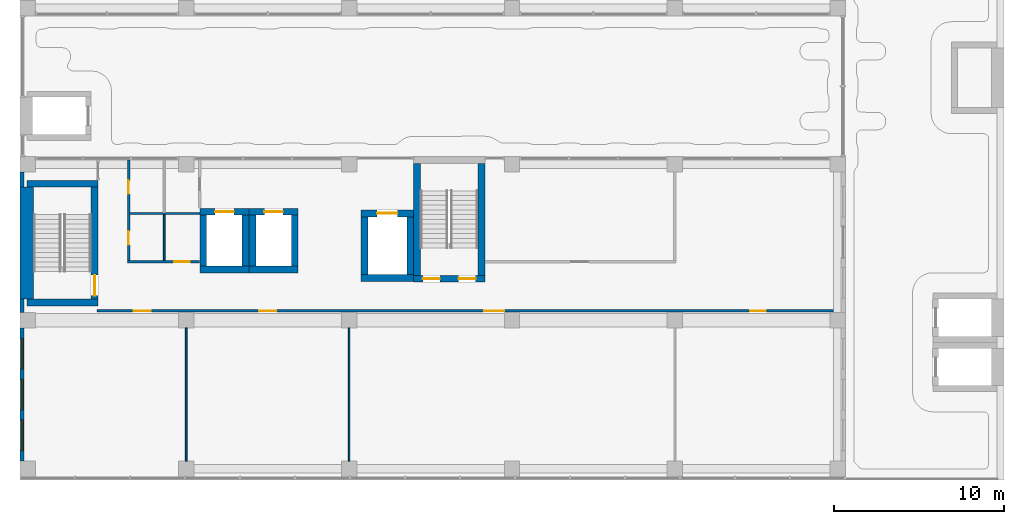
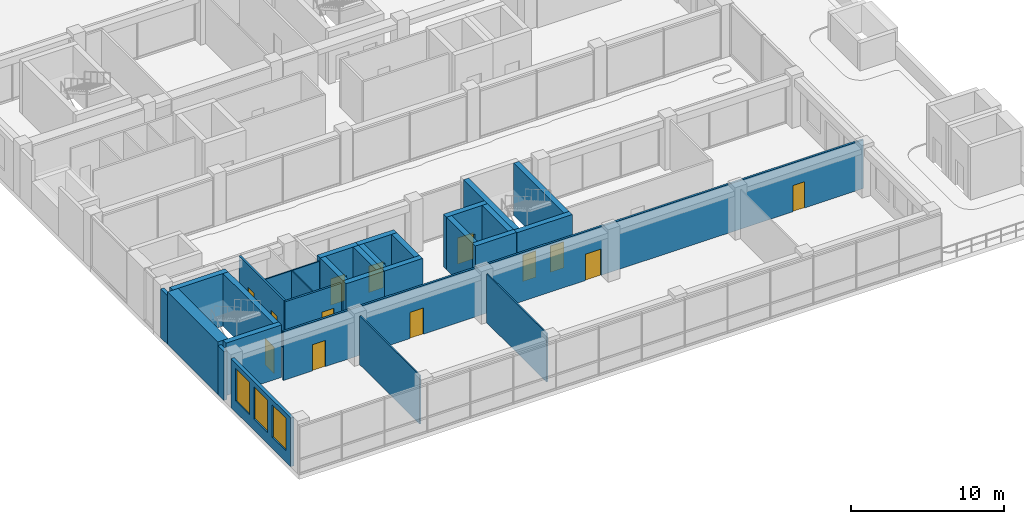
# One storey, part 58 of 72: 29 walls, 13 doors, 3 windows, 16 openings.
"""IFC4 building model written with IfcOpenShell, lengths in metres."""

from ifc_helpers import new_model, si_unit, direction, frame, frame_2d, origin, place, context, subcontext, project, spatial, rectangle, extrude, material, layer, layer_set, layer_usage, type_object, element, fill, save


model = new_model("IFC4")

# Units and contexts
model_context = context("Model", 3, precision=1e-05, world=origin(), true_north=direction((0.0, 1.0)))
body_context = subcontext(model_context, "Body", "Model", "MODEL_VIEW")
ifc_project = project(units=[si_unit("LENGTHUNIT", "METRE"), si_unit("AREAUNIT", "SQUARE_METRE"), si_unit("VOLUMEUNIT", "CUBIC_METRE"), si_unit("PLANEANGLEUNIT", "RADIAN"), si_unit("MASSUNIT", "GRAM", prefix="KILO")], contexts=[model_context])

# Site, building, storey
site_placement = place(None, origin())
site = spatial("IfcSite", under=ifc_project, at=site_placement, CompositionType="ELEMENT")
building_placement = place(site_placement, origin())
building = spatial("IfcBuilding", under=site, at=building_placement, Name="Nzadi Deep Aquarium and Research Tower", CompositionType="ELEMENT")
storey_placement = place(building_placement, frame((0.0, 0.0, 31.89990234375)))
storey = spatial("IfcBuildingStorey", under=building, at=storey_placement, Name="L05", CompositionType="ELEMENT", Elevation=31.89990234375)

# Wall
ifc_material_1 = material(Name="Concrete C35/45", Category="concrete")
ifc_layer_1 = layer(ifc_material_1, 0.14990234375, Category="cladding")
ifc_material_2 = material(Name="Mineral wool insulation")
ifc_layer_2 = layer(ifc_material_2, 0.070068359375, Category="insulation")
ifc_material_3 = material(Name="Gypsum board lining")
ifc_layer_3 = layer(ifc_material_3, 0.030029296875, Category="lining")
ifc_layer_set_1 = layer_set([ifc_layer_1, ifc_layer_2, ifc_layer_3], Name="Concrete C35/45, Mineral wool insulation, Gypsum board lining")
ifc_layer_usage_1 = layer_usage(ifc_layer_set_1, "AXIS2", "POSITIVE", -0.125)
wall_type_1 = type_object("IfcWallType", Name="End wall board-formed concrete 250", PredefinedType="ELEMENTEDWALL", material=ifc_layer_set_1)
wall_1_placement = place(storey_placement, frame((-0.074462890625, 10.449951171875, 0.0), z_axis=(0.0, 0.0, 1.0), x_axis=(0.0, -1.0, 0.0)))
element("IfcWall", 1, at=wall_1_placement, inside=storey, type_object=wall_type_1, material=ifc_layer_usage_1, Name="End wall blade A west L05", PredefinedType="ELEMENTEDWALL", context=body_context, shape_type="SweptSolid", body=[
    extrude(rectangle(XDim=0.800048828125, YDim=0.25, at=frame_2d((0.39990234375, 0.0))), origin(), (0.0, 0.0, 1.0), 3.900146484375),
])

# Wall, openings, windows
ifc_material_4 = material(Name="Graphite aluminium shingle", Category="aluminium")
ifc_layer_4 = layer(ifc_material_4, 0.050048828125, Category="cladding")
ifc_layer_5 = layer(ifc_material_1, 0.10009765625, Category="cladding")
ifc_layer_6 = layer(ifc_material_2, 0.070068359375, Category="insulation")
ifc_layer_7 = layer(ifc_material_3, 0.030029296875, Category="lining")
ifc_layer_set_2 = layer_set([ifc_layer_4, ifc_layer_5, ifc_layer_6, ifc_layer_7], Name="Graphite aluminium shingle, Concrete C35/45, Mineral wool insulation, Gypsum board lining")
ifc_layer_usage_2 = layer_usage(ifc_layer_set_2, "AXIS2", "POSITIVE", -0.125)
wall_type_2 = type_object("IfcWallType", Name="End wall shingle over board-formed concrete 250", PredefinedType="ELEMENTEDWALL", material=ifc_layer_set_2)
wall_2_placement = place(storey_placement, frame((-0.074462890625, 8.75, 0.0), z_axis=(0.0, 0.0, 1.0), x_axis=(0.0, -1.0, 0.0)))
wall_2 = element("IfcWall", 2, at=wall_2_placement, inside=storey, type_object=wall_type_2, material=ifc_layer_usage_2, Name="End wall blade A west L05", PredefinedType="ELEMENTEDWALL", context=body_context, shape_type="SweptSolid", body=[
    extrude(rectangle(XDim=7.85009765625, YDim=0.25, at=frame_2d((3.925048828125, 0.0))), origin(), (0.0, 0.0, 1.0), 3.900146484375),
])
opening_1_placement = place(wall_2_placement, frame((5.425048828125, 0.0, 0.89990234375)))
opening_1 = element("IfcOpeningElement", 3, at=opening_1_placement, cuts=wall_2, Name="Opening WN01", PredefinedType="OPENING", context=body_context, shape_type="SweptSolid", body=[
    extrude(rectangle(XDim=1.800048828125, YDim=2.60009765625, at=frame_2d((0.89990234375, 1.300048828125))), frame((0.0, 0.135009765625, 0.0), z_axis=(0.0, -1.0, 0.0), x_axis=(1.0, 0.0, 0.0)), (0.0, 0.0, 1.0), 0.27001953125),
])
opening_2_placement = place(wall_2_placement, frame((3.02490234375, 0.0, 0.89990234375)))
opening_2 = element("IfcOpeningElement", 4, at=opening_2_placement, cuts=wall_2, Name="Opening WN01", PredefinedType="OPENING", context=body_context, shape_type="SweptSolid", body=[
    extrude(rectangle(XDim=1.800048828125, YDim=2.60009765625, at=frame_2d((0.89990234375, 1.300048828125))), frame((0.0, 0.135009765625, 0.0), z_axis=(0.0, -1.0, 0.0), x_axis=(1.0, 0.0, 0.0)), (0.0, 0.0, 1.0), 0.27001953125),
])
opening_3_placement = place(wall_2_placement, frame((0.625, 0.0, 0.89990234375)))
opening_3 = element("IfcOpeningElement", 5, at=opening_3_placement, cuts=wall_2, Name="Opening WN01", PredefinedType="OPENING", context=body_context, shape_type="SweptSolid", body=[
    extrude(rectangle(XDim=1.800048828125, YDim=2.60009765625, at=frame_2d((0.89990234375, 1.300048828125))), frame((0.0, 0.135009765625, 0.0), z_axis=(0.0, -1.0, 0.0), x_axis=(1.0, 0.0, 0.0)), (0.0, 0.0, 1.0), 0.27001953125),
])
ifc_material_5 = material(Name="Aluminium window, sage tint glazing", Category="aluminium")
window_type = type_object("IfcWindowType", Name="Slot window 1800x2600 sill 900", PartitioningType="SINGLE_PANEL", PredefinedType="WINDOW", material=ifc_material_5)
window_1_placement = place(opening_1_placement, origin())
window_1 = element("IfcWindow", 6, at=window_1_placement, inside=storey, type_object=window_type, Name="Slot window L05 AW", OverallHeight=2.60009765625, OverallWidth=1.800048828125, PartitioningType="SINGLE_PANEL", PredefinedType="WINDOW", context=body_context, shape_type="SweptSolid", body=[
    extrude(rectangle(XDim=1.800048828125, YDim=2.60009765625, at=frame_2d((0.89990234375, 1.300048828125))), frame((0.0, 0.030029296875, 0.0), z_axis=(0.0, -1.0, 0.0), x_axis=(1.0, 0.0, 0.0)), (0.0, 0.0, 1.0), 0.06005859375),
])
fill(opening_1, window_1)
window_2_placement = place(opening_2_placement, origin())
window_2 = element("IfcWindow", 7, at=window_2_placement, inside=storey, type_object=window_type, Name="Slot window L05 AW", OverallHeight=2.60009765625, OverallWidth=1.800048828125, PartitioningType="SINGLE_PANEL", PredefinedType="WINDOW", context=body_context, shape_type="SweptSolid", body=[
    extrude(rectangle(XDim=1.800048828125, YDim=2.60009765625, at=frame_2d((0.89990234375, 1.300048828125))), frame((0.0, 0.030029296875, 0.0), z_axis=(0.0, -1.0, 0.0), x_axis=(1.0, 0.0, 0.0)), (0.0, 0.0, 1.0), 0.06005859375),
])
fill(opening_2, window_2)
window_3_placement = place(opening_3_placement, origin())
window_3 = element("IfcWindow", 8, at=window_3_placement, inside=storey, type_object=window_type, Name="Slot window L05 AW", OverallHeight=2.60009765625, OverallWidth=1.800048828125, PartitioningType="SINGLE_PANEL", PredefinedType="WINDOW", context=body_context, shape_type="SweptSolid", body=[
    extrude(rectangle(XDim=1.800048828125, YDim=2.60009765625, at=frame_2d((0.89990234375, 1.300048828125))), frame((0.0, 0.030029296875, 0.0), z_axis=(0.0, -1.0, 0.0), x_axis=(1.0, 0.0, 0.0)), (0.0, 0.0, 1.0), 0.06005859375),
])
fill(opening_3, window_3)

# Walls
ifc_layer_usage_3 = layer_usage(ifc_layer_set_2, "AXIS2", "POSITIVE", -0.125)
wall_3_placement = place(storey_placement, frame((-0.074462890625, 17.949951171875, 0.0), z_axis=(0.0, 0.0, 1.0), x_axis=(0.0, -1.0, 0.0)))
element("IfcWall", 9, at=wall_3_placement, inside=storey, type_object=wall_type_2, material=ifc_layer_usage_3, Name="End wall blade A west L05", PredefinedType="ELEMENTEDWALL", context=body_context, shape_type="SweptSolid", body=[
    extrude(rectangle(XDim=0.89990234375, YDim=0.25, at=frame_2d((0.449951171875, 0.0))), origin(), (0.0, 0.0, 1.0), 3.900146484375),
])
ifc_material_6 = material(Name="Blockwork masonry", Category="masonry")
ifc_layer_8 = layer(ifc_material_6, 0.10009765625)
ifc_layer_set_3 = layer_set([ifc_layer_8], Name="Blockwork masonry")
wall_type_3 = type_object("IfcWallType", Name="Partition 100 EI 30", PredefinedType="PARTITIONING", material=ifc_layer_set_3)
wall_4_placement = place(storey_placement, frame((6.27490234375, 15.5, 0.0), z_axis=(0.0, 0.0, 1.0), x_axis=(1.0, 0.0, 0.0)))
element("IfcWall", 10, at=wall_4_placement, inside=storey, type_object=wall_type_3, Name="W-Z1-L05-P009", PredefinedType="PARTITIONING", context=body_context, shape_type="SweptSolid", body=[
    extrude(rectangle(XDim=4.119140625, YDim=0.10009765625, at=frame_2d((2.0595703125, 0.0))), origin(), (0.0, 0.0, 1.0), 3.900146484375),
])
wall_5_placement = place(storey_placement, frame((8.300048828125, 12.72509765625, 0.0), z_axis=(0.0, 0.0, 1.0), x_axis=(0.0, 1.0, 0.0)))
element("IfcWall", 11, at=wall_5_placement, inside=storey, type_object=wall_type_3, Name="W-Z1-L05-P011", PredefinedType="PARTITIONING", context=body_context, shape_type="SweptSolid", body=[
    extrude(rectangle(XDim=2.724853515625, YDim=0.10009765625, at=frame_2d((1.3623046875, 0.0))), origin(), (0.0, 0.0, 1.0), 3.900146484375),
])
for number, where, z_axis, x_axis, name in (
    (12, (9.60009765625, 0.89990234375, 0.0), (0.0, 0.0, 1.0), (0.0, 1.0, 0.0), "W-Z1-L05-P017"),
    (13, (19.199951171875, 0.89990234375, 0.0), (0.0, 0.0, 1.0), (0.0, 1.0, 0.0), "W-Z1-L05-P024"),
):
    element("IfcWall", number, at=place(storey_placement, frame(where, z_axis=z_axis, x_axis=x_axis)), inside=storey, type_object=wall_type_3, Name=name, PredefinedType="PARTITIONING", context=body_context, shape_type="SweptSolid", body=[
        extrude(rectangle(XDim=7.85009765625, YDim=0.10009765625, at=frame_2d((3.925048828125, 0.0))), origin(), (0.0, 0.0, 1.0), 3.900146484375),
    ])

# Wall, openings, doors
ifc_material_7 = material(Name="Blockwork masonry", Category="masonry")
ifc_layer_9 = layer(ifc_material_7, 0.14990234375)
ifc_layer_set_4 = layer_set([ifc_layer_9], Name="Blockwork masonry")
wall_type_4 = type_object("IfcWallType", Name="Partition 150 EI 60", PredefinedType="PARTITIONING", material=ifc_layer_set_4)
wall_6_placement = place(storey_placement, frame((4.324951171875, 9.75, 0.0), z_axis=(0.0, 0.0, 1.0), x_axis=(1.0, 0.0, 0.0)))
wall_6 = element("IfcWall", 14, at=wall_6_placement, inside=storey, type_object=wall_type_4, Name="W-Z1-L05-P005", PredefinedType="PARTITIONING", context=body_context, shape_type="SweptSolid", body=[
    extrude(rectangle(XDim=43.869140625, YDim=0.14990234375, at=frame_2d((21.9345703125, 0.0))), origin(), (0.0, 0.0, 1.0), 3.900146484375),
])
opening_4_placement = place(wall_6_placement, frame((2.175048828125, 0.0, 0.0)))
opening_4 = element("IfcOpeningElement", 15, at=opening_4_placement, cuts=wall_6, Name="Opening D061006", PredefinedType="OPENING", context=body_context, shape_type="SweptSolid", body=[
    extrude(rectangle(XDim=1.0, YDim=2.10009765625, at=frame_2d((0.5, 1.050048828125))), frame((0.0, 0.0849609375, 0.0), z_axis=(0.0, -1.0, 0.0), x_axis=(1.0, 0.0, 0.0)), (0.0, 0.0, 1.0), 0.169921875),
])
opening_5_placement = place(wall_6_placement, frame((9.574951171875, 0.0, 0.0)))
opening_5 = element("IfcOpeningElement", 16, at=opening_5_placement, cuts=wall_6, Name="Opening D061007", PredefinedType="OPENING", context=body_context, shape_type="SweptSolid", body=[
    extrude(rectangle(XDim=1.0, YDim=2.10009765625, at=frame_2d((0.5, 1.050048828125))), frame((0.0, 0.0849609375, 0.0), z_axis=(0.0, -1.0, 0.0), x_axis=(1.0, 0.0, 0.0)), (0.0, 0.0, 1.0), 0.169921875),
])
opening_6_placement = place(wall_6_placement, frame((22.824951171875, 0.0, 0.0)))
opening_6 = element("IfcOpeningElement", 17, at=opening_6_placement, cuts=wall_6, Name="Opening D061008", PredefinedType="OPENING", context=body_context, shape_type="SweptSolid", body=[
    extrude(rectangle(XDim=1.199951171875, YDim=2.10009765625, at=frame_2d((0.60009765625, 1.050048828125))), frame((0.0, 0.0849609375, 0.0), z_axis=(0.0, -1.0, 0.0), x_axis=(1.0, 0.0, 0.0)), (0.0, 0.0, 1.0), 0.169921875),
])
opening_7_placement = place(wall_6_placement, frame((38.52490234375, 0.0, 0.0)))
opening_7 = element("IfcOpeningElement", 18, at=opening_7_placement, cuts=wall_6, Name="Opening D061009", PredefinedType="OPENING", context=body_context, shape_type="SweptSolid", body=[
    extrude(rectangle(XDim=0.89990234375, YDim=2.10009765625, at=frame_2d((0.449951171875, 1.050048828125))), frame((0.0, 0.0849609375, 0.0), z_axis=(0.0, -1.0, 0.0), x_axis=(1.0, 0.0, 0.0)), (0.0, 0.0, 1.0), 0.169921875),
])
ifc_material_8 = material(Name="Fire-rated steel door", Category="steel")
ifc_layer_10 = layer(ifc_material_8, 0.050048828125)
ifc_layer_set_5 = layer_set([ifc_layer_10], Name="Fire-rated steel door")
door_type_1 = type_object("IfcDoorType", Name="Door 1000x2100 EI 60 single", OperationType="SINGLE_SWING_LEFT", PredefinedType="DOOR", material=ifc_layer_set_5)
door_1_placement = place(opening_4_placement, origin())
door_1 = element("IfcDoor", 19, at=door_1_placement, inside=storey, type_object=door_type_1, Name="D061006", OperationType="SINGLE_SWING_RIGHT", OverallHeight=2.10009765625, OverallWidth=1.0, PredefinedType="DOOR", context=body_context, shape_type="SweptSolid", body=[
    extrude(rectangle(XDim=1.0, YDim=2.10009765625, at=frame_2d((0.5, 1.050048828125))), frame((0.0, 0.02490234375, 0.0), z_axis=(0.0, -1.0, 0.0), x_axis=(1.0, 0.0, 0.0)), (0.0, 0.0, 1.0), 0.050048828125),
])
fill(opening_4, door_1)
door_2_placement = place(opening_5_placement, origin())
door_2 = element("IfcDoor", 20, at=door_2_placement, inside=storey, type_object=door_type_1, Name="D061007", OperationType="SINGLE_SWING_RIGHT", OverallHeight=2.10009765625, OverallWidth=1.0, PredefinedType="DOOR", context=body_context, shape_type="SweptSolid", body=[
    extrude(rectangle(XDim=1.0, YDim=2.10009765625, at=frame_2d((0.5, 1.050048828125))), frame((0.0, 0.02490234375, 0.0), z_axis=(0.0, -1.0, 0.0), x_axis=(1.0, 0.0, 0.0)), (0.0, 0.0, 1.0), 0.050048828125),
])
fill(opening_5, door_2)
ifc_material_9 = material(Name="Fire-rated steel door", Category="steel")
ifc_layer_11 = layer(ifc_material_9, 0.050048828125)
ifc_layer_set_6 = layer_set([ifc_layer_11], Name="Fire-rated steel door")
door_type_2 = type_object("IfcDoorType", Name="Door 1200x2100 EI 60 single", OperationType="SINGLE_SWING_LEFT", PredefinedType="DOOR", material=ifc_layer_set_6)
door_3_placement = place(opening_6_placement, origin())
door_3 = element("IfcDoor", 21, at=door_3_placement, inside=storey, type_object=door_type_2, Name="D061008", OperationType="SINGLE_SWING_LEFT", OverallHeight=2.10009765625, OverallWidth=1.199951171875, PredefinedType="DOOR", context=body_context, shape_type="SweptSolid", body=[
    extrude(rectangle(XDim=1.199951171875, YDim=2.10009765625, at=frame_2d((0.60009765625, 1.050048828125))), frame((0.0, 0.02490234375, 0.0), z_axis=(0.0, -1.0, 0.0), x_axis=(1.0, 0.0, 0.0)), (0.0, 0.0, 1.0), 0.050048828125),
])
fill(opening_6, door_3)
ifc_material_10 = material(Name="Fire-rated steel door", Category="steel")
ifc_layer_12 = layer(ifc_material_10, 0.050048828125)
ifc_layer_set_7 = layer_set([ifc_layer_12], Name="Fire-rated steel door")
door_type_3 = type_object("IfcDoorType", Name="Door 900x2100 EI 60 single", OperationType="SINGLE_SWING_LEFT", PredefinedType="DOOR", material=ifc_layer_set_7)
door_4_placement = place(opening_7_placement, origin())
door_4 = element("IfcDoor", 22, at=door_4_placement, inside=storey, type_object=door_type_3, Name="D061009", OperationType="SINGLE_SWING_LEFT", OverallHeight=2.10009765625, OverallWidth=0.89990234375, PredefinedType="DOOR", context=body_context, shape_type="SweptSolid", body=[
    extrude(rectangle(XDim=0.89990234375, YDim=2.10009765625, at=frame_2d((0.449951171875, 1.050048828125))), frame((0.0, 0.02490234375, 0.0), z_axis=(0.0, -1.0, 0.0), x_axis=(1.0, 0.0, 0.0)), (0.0, 0.0, 1.0), 0.050048828125),
])
fill(opening_7, door_4)

# Wall, opening, door
wall_7_placement = place(storey_placement, frame((6.125, 12.64990234375, 0.0), z_axis=(0.0, 0.0, 1.0), x_axis=(1.0, 0.0, 0.0)))
wall_7 = element("IfcWall", 23, at=wall_7_placement, inside=storey, type_object=wall_type_4, Name="W-Z1-L05-P007", PredefinedType="PARTITIONING", context=body_context, shape_type="SweptSolid", body=[
    extrude(rectangle(XDim=4.26904296875, YDim=0.14990234375, at=frame_2d((2.134521484375, 0.0))), origin(), (0.0, 0.0, 1.0), 3.900146484375),
])
opening_8_placement = place(wall_7_placement, frame((2.77490234375, 0.0, 0.0)))
opening_8 = element("IfcOpeningElement", 24, at=opening_8_placement, cuts=wall_7, Name="Opening D061003", PredefinedType="OPENING", context=body_context, shape_type="SweptSolid", body=[
    extrude(rectangle(XDim=0.89990234375, YDim=2.10009765625, at=frame_2d((0.449951171875, 1.050048828125))), frame((0.0, 0.0849609375, 0.0), z_axis=(0.0, -1.0, 0.0), x_axis=(1.0, 0.0, 0.0)), (0.0, 0.0, 1.0), 0.169921875),
])
door_5_placement = place(opening_8_placement, origin())
door_5 = element("IfcDoor", 25, at=door_5_placement, inside=storey, type_object=door_type_3, Name="D061003", OperationType="SINGLE_SWING_RIGHT", OverallHeight=2.10009765625, OverallWidth=0.89990234375, PredefinedType="DOOR", context=body_context, shape_type="SweptSolid", body=[
    extrude(rectangle(XDim=0.89990234375, YDim=2.10009765625, at=frame_2d((0.449951171875, 1.050048828125))), frame((0.0, 0.02490234375, 0.0), z_axis=(0.0, -1.0, 0.0), x_axis=(1.0, 0.0, 0.0)), (0.0, 0.0, 1.0), 0.050048828125),
])
fill(opening_8, door_5)

# Wall, openings, doors
wall_8_placement = place(storey_placement, frame((6.199951171875, 12.72509765625, 0.0), z_axis=(0.0, 0.0, 1.0), x_axis=(0.0, 1.0, 0.0)))
wall_8 = element("IfcWall", 26, at=wall_8_placement, inside=storey, type_object=wall_type_4, Name="W-Z1-L05-P008", PredefinedType="PARTITIONING", context=body_context, shape_type="SweptSolid", body=[
    extrude(rectangle(XDim=5.9189453125, YDim=0.14990234375, at=frame_2d((2.95947265625, 0.0))), origin(), (0.0, 0.0, 1.0), 3.900146484375),
])
opening_9_placement = place(wall_8_placement, frame((0.925048828125, 0.0, 0.0)))
opening_9 = element("IfcOpeningElement", 27, at=opening_9_placement, cuts=wall_8, Name="Opening D061002", PredefinedType="OPENING", context=body_context, shape_type="SweptSolid", body=[
    extrude(rectangle(XDim=0.800048828125, YDim=2.10009765625, at=frame_2d((0.39990234375, 1.050048828125))), frame((0.0, 0.0849609375, 0.0), z_axis=(0.0, -1.0, 0.0), x_axis=(1.0, 0.0, 0.0)), (0.0, 0.0, 1.0), 0.169921875),
])
opening_10_placement = place(wall_8_placement, frame((3.925048828125, 0.0, 0.0)))
opening_10 = element("IfcOpeningElement", 28, at=opening_10_placement, cuts=wall_8, Name="Opening D061004", PredefinedType="OPENING", context=body_context, shape_type="SweptSolid", body=[
    extrude(rectangle(XDim=0.800048828125, YDim=2.10009765625, at=frame_2d((0.39990234375, 1.050048828125))), frame((0.0, 0.0849609375, 0.0), z_axis=(0.0, -1.0, 0.0), x_axis=(1.0, 0.0, 0.0)), (0.0, 0.0, 1.0), 0.169921875),
])
ifc_material_11 = material(Name="Fire-rated steel door", Category="steel")
ifc_layer_13 = layer(ifc_material_11, 0.050048828125)
ifc_layer_set_8 = layer_set([ifc_layer_13], Name="Fire-rated steel door")
door_type_4 = type_object("IfcDoorType", Name="Door 800x2100 EI 60 single", OperationType="SINGLE_SWING_LEFT", PredefinedType="DOOR", material=ifc_layer_set_8)
door_6_placement = place(opening_9_placement, origin())
door_6 = element("IfcDoor", 29, at=door_6_placement, inside=storey, type_object=door_type_4, Name="D061002", OperationType="SINGLE_SWING_LEFT", OverallHeight=2.10009765625, OverallWidth=0.800048828125, PredefinedType="DOOR", context=body_context, shape_type="SweptSolid", body=[
    extrude(rectangle(XDim=0.800048828125, YDim=2.10009765625, at=frame_2d((0.39990234375, 1.050048828125))), frame((0.0, 0.02490234375, 0.0), z_axis=(0.0, -1.0, 0.0), x_axis=(1.0, 0.0, 0.0)), (0.0, 0.0, 1.0), 0.050048828125),
])
fill(opening_9, door_6)
door_7_placement = place(opening_10_placement, origin())
door_7 = element("IfcDoor", 30, at=door_7_placement, inside=storey, type_object=door_type_4, Name="D061004", OperationType="SINGLE_SWING_LEFT", OverallHeight=2.10009765625, OverallWidth=0.800048828125, PredefinedType="DOOR", context=body_context, shape_type="SweptSolid", body=[
    extrude(rectangle(XDim=0.800048828125, YDim=2.10009765625, at=frame_2d((0.39990234375, 1.050048828125))), frame((0.0, 0.02490234375, 0.0), z_axis=(0.0, -1.0, 0.0), x_axis=(1.0, 0.0, 0.0)), (0.0, 0.0, 1.0), 0.050048828125),
])
fill(opening_10, door_7)

# Walls
ifc_material_12 = material(Name="Concrete C35/45", Category="concrete")
ifc_layer_14 = layer(ifc_material_12, 0.39990234375)
ifc_layer_set_9 = layer_set([ifc_layer_14], Name="Concrete C35/45")
wall_type_5 = type_object("IfcWallType", Name="RC core wall 400", PredefinedType="SHEAR", material=ifc_layer_set_9)
for number, where, z_axis, x_axis, name in (
    (31, (0.199951171875, 10.25, 0.0), (0.0, 0.0, 1.0), (1.0, 0.0, 0.0), "W-CORE-ST-Z1-SW-L05-S"),
    (32, (0.199951171875, 17.25, 0.0), (0.0, 0.0, 1.0), (1.0, 0.0, 0.0), "W-CORE-ST-Z1-SW-L05-N"),
):
    element("IfcWall", number, at=place(storey_placement, frame(where, z_axis=z_axis, x_axis=x_axis)), inside=storey, type_object=wall_type_5, Name=name, PredefinedType="SHEAR", context=body_context, shape_type="SweptSolid", body=[
        extrude(rectangle(XDim=4.199951171875, YDim=0.39990234375, at=frame_2d((2.10009765625, 0.0))), origin(), (0.0, 0.0, 1.0), 4.2001953125),
    ])

# Wall, opening, door
wall_9_placement = place(storey_placement, frame((4.199951171875, 10.449951171875, 0.0), z_axis=(0.0, 0.0, 1.0), x_axis=(0.0, 1.0, 0.0)))
wall_9 = element("IfcWall", 33, at=wall_9_placement, inside=storey, type_object=wall_type_5, Name="W-CORE-ST-Z1-SW-L05-E", PredefinedType="SHEAR", context=body_context, shape_type="SweptSolid", body=[
    extrude(rectangle(XDim=6.60009765625, YDim=0.39990234375, at=frame_2d((3.300048828125, 0.0))), origin(), (0.0, 0.0, 1.0), 4.2001953125),
])
opening_11_placement = place(wall_9_placement, frame((0.2099609375, 0.0, 0.0)))
opening_11 = element("IfcOpeningElement", 34, at=opening_11_placement, cuts=wall_9, Name="Opening DS-Z1-SW-L05", PredefinedType="OPENING", context=body_context, shape_type="SweptSolid", body=[
    extrude(rectangle(XDim=1.199951171875, YDim=2.10009765625, at=frame_2d((0.60009765625, 1.050048828125))), frame((0.0, 0.2099609375, 0.0), z_axis=(0.0, -1.0, 0.0), x_axis=(1.0, 0.0, 0.0)), (0.0, 0.0, 1.0), 0.419921875),
])
ifc_material_13 = material(Name="Steel, powder coated", Category="steel")
door_type_5 = type_object("IfcDoorType", Name="STAIR DOOR 1200x2100 EI 60", OperationType="SINGLE_SWING_LEFT", PredefinedType="DOOR", material=ifc_material_13)
door_8_placement = place(opening_11_placement, origin())
door_8 = element("IfcDoor", 35, at=door_8_placement, inside=storey, type_object=door_type_5, Name="Stair door ST-Z1-SW L05", OperationType="SINGLE_SWING_RIGHT", OverallHeight=2.10009765625, OverallWidth=1.199951171875, PredefinedType="DOOR", context=body_context, shape_type="SweptSolid", body=[
    extrude(rectangle(XDim=1.199951171875, YDim=2.10009765625, at=frame_2d((0.60009765625, 1.050048828125))), frame((0.0, 0.02490234375, 0.0), z_axis=(0.0, -1.0, 0.0), x_axis=(1.0, 0.0, 0.0)), (0.0, 0.0, 1.0), 0.050048828125),
])
fill(opening_11, door_8)

# Wall, openings, doors
wall_10_placement = place(storey_placement, frame((23.0, 11.64990234375, 0.0), z_axis=(0.0, 0.0, 1.0), x_axis=(1.0, 0.0, 0.0)))
wall_10 = element("IfcWall", 36, at=wall_10_placement, inside=storey, type_object=wall_type_5, Name="W-CORE-ST-Z1-SE-L05-S", PredefinedType="SHEAR", context=body_context, shape_type="SweptSolid", body=[
    extrude(rectangle(XDim=4.199951171875, YDim=0.39990234375, at=frame_2d((2.10009765625, 0.0))), origin(), (0.0, 0.0, 1.0), 4.2001953125),
])
opening_12_placement = place(wall_10_placement, frame((0.550048828125, 0.0, 0.0)))
opening_12 = element("IfcOpeningElement", 37, at=opening_12_placement, cuts=wall_10, Name="Opening DS-Z1-SE-L05A", PredefinedType="OPENING", context=body_context, shape_type="SweptSolid", body=[
    extrude(rectangle(XDim=1.0, YDim=2.10009765625, at=frame_2d((0.5, 1.050048828125))), frame((0.0, 0.2099609375, 0.0), z_axis=(0.0, -1.0, 0.0), x_axis=(1.0, 0.0, 0.0)), (0.0, 0.0, 1.0), 0.419921875),
])
opening_13_placement = place(wall_10_placement, frame((2.64990234375, 0.0, 0.0)))
opening_13 = element("IfcOpeningElement", 38, at=opening_13_placement, cuts=wall_10, Name="Opening DS-Z1-SE-L05B", PredefinedType="OPENING", context=body_context, shape_type="SweptSolid", body=[
    extrude(rectangle(XDim=1.0, YDim=2.10009765625, at=frame_2d((0.5, 1.050048828125))), frame((0.0, 0.2099609375, 0.0), z_axis=(0.0, -1.0, 0.0), x_axis=(1.0, 0.0, 0.0)), (0.0, 0.0, 1.0), 0.419921875),
])
ifc_material_14 = material(Name="Steel, powder coated", Category="steel")
door_type_6 = type_object("IfcDoorType", Name="STAIR DOOR 1000x2100 EI 60", OperationType="SINGLE_SWING_LEFT", PredefinedType="DOOR", material=ifc_material_14)
door_9_placement = place(opening_12_placement, origin())
door_9 = element("IfcDoor", 39, at=door_9_placement, inside=storey, type_object=door_type_6, Name="Stair door ST-Z1-SE L05 A", OperationType="SINGLE_SWING_RIGHT", OverallHeight=2.10009765625, OverallWidth=1.0, PredefinedType="DOOR", context=body_context, shape_type="SweptSolid", body=[
    extrude(rectangle(XDim=1.0, YDim=2.10009765625, at=frame_2d((0.5, 1.050048828125))), frame((0.0, 0.02490234375, 0.0), z_axis=(0.0, -1.0, 0.0), x_axis=(1.0, 0.0, 0.0)), (0.0, 0.0, 1.0), 0.050048828125),
])
fill(opening_12, door_9)
door_10_placement = place(opening_13_placement, origin())
door_10 = element("IfcDoor", 40, at=door_10_placement, inside=storey, type_object=door_type_6, Name="Stair door ST-Z1-SE L05 B", OperationType="SINGLE_SWING_LEFT", OverallHeight=2.10009765625, OverallWidth=1.0, PredefinedType="DOOR", context=body_context, shape_type="SweptSolid", body=[
    extrude(rectangle(XDim=1.0, YDim=2.10009765625, at=frame_2d((0.5, 1.050048828125))), frame((0.0, 0.02490234375, 0.0), z_axis=(0.0, -1.0, 0.0), x_axis=(1.0, 0.0, 0.0)), (0.0, 0.0, 1.0), 0.050048828125),
])
fill(opening_13, door_10)

# Walls
for number, where, z_axis, x_axis, name in (
    (41, (23.199951171875, 11.85009765625, 0.0), (0.0, 0.0, 1.0), (0.0, 1.0, 0.0), "W-CORE-ST-Z1-SE-L05-W"),
    (42, (27.0, 11.85009765625, 0.0), (0.0, 0.0, 1.0), (0.0, 1.0, 0.0), "W-CORE-ST-Z1-SE-L05-E"),
):
    element("IfcWall", number, at=place(storey_placement, frame(where, z_axis=z_axis, x_axis=x_axis)), inside=storey, type_object=wall_type_5, Name=name, PredefinedType="SHEAR", context=body_context, shape_type="SweptSolid", body=[
        extrude(rectangle(XDim=6.599853515625, YDim=0.39990234375, at=frame_2d((3.2998046875, 0.0))), origin(), (0.0, 0.0, 1.0), 4.2001953125),
    ])
wall_11_placement = place(storey_placement, frame((10.39990234375, 12.199951171875, 0.0), z_axis=(0.0, 0.0, 1.0), x_axis=(1.0, 0.0, 0.0)))
element("IfcWall", 43, at=wall_11_placement, inside=storey, type_object=wall_type_5, Name="W-CORE-TL1-L05-S", PredefinedType="SHEAR", context=body_context, shape_type="SweptSolid", body=[
    extrude(rectangle(XDim=2.900146484375, YDim=0.39990234375, at=frame_2d((1.4501953125, 0.0))), origin(), (0.0, 0.0, 1.0), 4.2001953125),
])

# Wall, opening, door
wall_12_placement = place(storey_placement, frame((10.39990234375, 15.60009765625, 0.0), z_axis=(0.0, 0.0, 1.0), x_axis=(1.0, 0.0, 0.0)))
wall_12 = element("IfcWall", 44, at=wall_12_placement, inside=storey, type_object=wall_type_5, Name="W-CORE-TL1-L05-N", PredefinedType="SHEAR", context=body_context, shape_type="SweptSolid", body=[
    extrude(rectangle(XDim=2.900146484375, YDim=0.39990234375, at=frame_2d((1.4501953125, 0.0))), origin(), (0.0, 0.0, 1.0), 4.2001953125),
])
opening_14_placement = place(wall_12_placement, frame((0.89990234375, 0.0, 0.0)))
opening_14 = element("IfcOpeningElement", 45, at=opening_14_placement, cuts=wall_12, Name="Opening LD-TL1-L05", PredefinedType="OPENING", context=body_context, shape_type="SweptSolid", body=[
    extrude(rectangle(XDim=1.10009765625, YDim=2.10009765625, at=frame_2d((0.550048828125, 1.050048828125))), frame((0.0, 0.2099609375, 0.0), z_axis=(0.0, -1.0, 0.0), x_axis=(1.0, 0.0, 0.0)), (0.0, 0.0, 1.0), 0.419921875),
])
ifc_material_15 = material(Name="Stainless steel 1.4301", Category="steel")
door_type_7 = type_object("IfcDoorType", Name="LANDING DOOR 1100x2100", OperationType="DOUBLE_DOOR_SLIDING", PredefinedType="DOOR", material=ifc_material_15)
door_11_placement = place(opening_14_placement, origin())
door_11 = element("IfcDoor", 46, at=door_11_placement, inside=storey, type_object=door_type_7, Name="Landing door TL1 L05", OperationType="DOUBLE_DOOR_SLIDING", OverallHeight=2.10009765625, OverallWidth=1.10009765625, PredefinedType="DOOR", context=body_context, shape_type="SweptSolid", body=[
    extrude(rectangle(XDim=1.10009765625, YDim=2.10009765625, at=frame_2d((0.550048828125, 1.050048828125))), frame((0.0, 0.02490234375, 0.0), z_axis=(0.0, -1.0, 0.0), x_axis=(1.0, 0.0, 0.0)), (0.0, 0.0, 1.0), 0.050048828125),
])
fill(opening_14, door_11)

# Walls
for number, where, z_axis, x_axis, name in (
    (47, (10.60009765625, 12.39990234375, 0.0), (0.0, 0.0, 1.0), (0.0, 1.0, 0.0), "W-CORE-TL1-L05-W"),
    (48, (13.10009765625, 12.39990234375, 0.0), (0.0, 0.0, 1.0), (0.0, 1.0, 0.0), "W-CORE-TL1-L05-E"),
):
    element("IfcWall", number, at=place(storey_placement, frame(where, z_axis=z_axis, x_axis=x_axis)), inside=storey, type_object=wall_type_5, Name=name, PredefinedType="SHEAR", context=body_context, shape_type="SweptSolid", body=[
        extrude(rectangle(XDim=3.0, YDim=0.39990234375, at=frame_2d((1.5, 0.0))), origin(), (0.0, 0.0, 1.0), 4.2001953125),
    ])
wall_13_placement = place(storey_placement, frame((13.300048828125, 12.199951171875, 0.0), z_axis=(0.0, 0.0, 1.0), x_axis=(1.0, 0.0, 0.0)))
element("IfcWall", 49, at=wall_13_placement, inside=storey, type_object=wall_type_5, Name="W-CORE-TL2-L05-S", PredefinedType="SHEAR", context=body_context, shape_type="SweptSolid", body=[
    extrude(rectangle(XDim=2.89990234375, YDim=0.39990234375, at=frame_2d((1.449951171875, 0.0))), origin(), (0.0, 0.0, 1.0), 4.2001953125),
])

# Wall, opening, door
wall_14_placement = place(storey_placement, frame((13.300048828125, 15.60009765625, 0.0), z_axis=(0.0, 0.0, 1.0), x_axis=(1.0, 0.0, 0.0)))
wall_14 = element("IfcWall", 50, at=wall_14_placement, inside=storey, type_object=wall_type_5, Name="W-CORE-TL2-L05-N", PredefinedType="SHEAR", context=body_context, shape_type="SweptSolid", body=[
    extrude(rectangle(XDim=2.89990234375, YDim=0.39990234375, at=frame_2d((1.449951171875, 0.0))), origin(), (0.0, 0.0, 1.0), 4.2001953125),
])
opening_15_placement = place(wall_14_placement, frame((0.89990234375, 0.0, 0.0)))
opening_15 = element("IfcOpeningElement", 51, at=opening_15_placement, cuts=wall_14, Name="Opening LD-TL2-L05", PredefinedType="OPENING", context=body_context, shape_type="SweptSolid", body=[
    extrude(rectangle(XDim=1.10009765625, YDim=2.10009765625, at=frame_2d((0.550048828125, 1.050048828125))), frame((0.0, 0.2099609375, 0.0), z_axis=(0.0, -1.0, 0.0), x_axis=(1.0, 0.0, 0.0)), (0.0, 0.0, 1.0), 0.419921875),
])
door_12_placement = place(opening_15_placement, origin())
door_12 = element("IfcDoor", 52, at=door_12_placement, inside=storey, type_object=door_type_7, Name="Landing door TL2 L05", OperationType="DOUBLE_DOOR_SLIDING", OverallHeight=2.10009765625, OverallWidth=1.10009765625, PredefinedType="DOOR", context=body_context, shape_type="SweptSolid", body=[
    extrude(rectangle(XDim=1.10009765625, YDim=2.10009765625, at=frame_2d((0.550048828125, 1.050048828125))), frame((0.0, 0.02490234375, 0.0), z_axis=(0.0, -1.0, 0.0), x_axis=(1.0, 0.0, 0.0)), (0.0, 0.0, 1.0), 0.050048828125),
])
fill(opening_15, door_12)

# Walls
for number, where, z_axis, x_axis, name in (
    (53, (13.5, 12.39990234375, 0.0), (0.0, 0.0, 1.0), (0.0, 1.0, 0.0), "W-CORE-TL2-L05-W"),
    (54, (16.0, 12.39990234375, 0.0), (0.0, 0.0, 1.0), (0.0, 1.0, 0.0), "W-CORE-TL2-L05-E"),
):
    element("IfcWall", number, at=place(storey_placement, frame(where, z_axis=z_axis, x_axis=x_axis)), inside=storey, type_object=wall_type_5, Name=name, PredefinedType="SHEAR", context=body_context, shape_type="SweptSolid", body=[
        extrude(rectangle(XDim=3.0, YDim=0.39990234375, at=frame_2d((1.5, 0.0))), origin(), (0.0, 0.0, 1.0), 4.2001953125),
    ])
wall_15_placement = place(storey_placement, frame((19.89990234375, 11.699951171875, 0.0), z_axis=(0.0, 0.0, 1.0), x_axis=(1.0, 0.0, 0.0)))
element("IfcWall", 55, at=wall_15_placement, inside=storey, type_object=wall_type_5, Name="W-CORE-FL1-L05-S", PredefinedType="SHEAR", context=body_context, shape_type="SweptSolid", body=[
    extrude(rectangle(XDim=3.10009765625, YDim=0.39990234375, at=frame_2d((1.550048828125, 0.0))), origin(), (0.0, 0.0, 1.0), 4.2001953125),
])

# Wall, opening, door
wall_16_placement = place(storey_placement, frame((19.89990234375, 15.5, 0.0), z_axis=(0.0, 0.0, 1.0), x_axis=(1.0, 0.0, 0.0)))
wall_16 = element("IfcWall", 56, at=wall_16_placement, inside=storey, type_object=wall_type_5, Name="W-CORE-FL1-L05-N", PredefinedType="SHEAR", context=body_context, shape_type="SweptSolid", body=[
    extrude(rectangle(XDim=3.10009765625, YDim=0.39990234375, at=frame_2d((1.550048828125, 0.0))), origin(), (0.0, 0.0, 1.0), 4.2001953125),
])
opening_16_placement = place(wall_16_placement, frame((0.949951171875, 0.0, 0.0)))
opening_16 = element("IfcOpeningElement", 57, at=opening_16_placement, cuts=wall_16, Name="Opening LD-FL1-L05", PredefinedType="OPENING", context=body_context, shape_type="SweptSolid", body=[
    extrude(rectangle(XDim=1.199951171875, YDim=2.10009765625, at=frame_2d((0.60009765625, 1.050048828125))), frame((0.0, 0.2099609375, 0.0), z_axis=(0.0, -1.0, 0.0), x_axis=(1.0, 0.0, 0.0)), (0.0, 0.0, 1.0), 0.419921875),
])
ifc_material_16 = material(Name="Stainless steel 1.4301", Category="steel")
door_type_8 = type_object("IfcDoorType", Name="LANDING DOOR 1200x2100", OperationType="DOUBLE_DOOR_SLIDING", PredefinedType="DOOR", material=ifc_material_16)
door_13_placement = place(opening_16_placement, origin())
door_13 = element("IfcDoor", 58, at=door_13_placement, inside=storey, type_object=door_type_8, Name="Landing door FL1 L05", OperationType="DOUBLE_DOOR_SLIDING", OverallHeight=2.10009765625, OverallWidth=1.199951171875, PredefinedType="DOOR", context=body_context, shape_type="SweptSolid", body=[
    extrude(rectangle(XDim=1.199951171875, YDim=2.10009765625, at=frame_2d((0.60009765625, 1.050048828125))), frame((0.0, 0.02490234375, 0.0), z_axis=(0.0, -1.0, 0.0), x_axis=(1.0, 0.0, 0.0)), (0.0, 0.0, 1.0), 0.050048828125),
])
fill(opening_16, door_13)

# Walls
for number, where, z_axis, x_axis, name in (
    (59, (20.10009765625, 11.89990234375, 0.0), (0.0, 0.0, 1.0), (0.0, 1.0, 0.0), "W-CORE-FL1-L05-W"),
    (60, (22.800048828125, 11.89990234375, 0.0), (0.0, 0.0, 1.0), (0.0, 1.0, 0.0), "W-CORE-FL1-L05-E"),
):
    element("IfcWall", number, at=place(storey_placement, frame(where, z_axis=z_axis, x_axis=x_axis)), inside=storey, type_object=wall_type_5, Name=name, PredefinedType="SHEAR", context=body_context, shape_type="SweptSolid", body=[
        extrude(rectangle(XDim=3.400146484375, YDim=0.39990234375, at=frame_2d((1.7001953125, 0.0))), origin(), (0.0, 0.0, 1.0), 4.2001953125),
    ])
ifc_material_17 = material(Name="Concrete C35/45", Category="concrete")
ifc_layer_15 = layer(ifc_material_17, 0.800048828125)
ifc_layer_set_10 = layer_set([ifc_layer_15], Name="Concrete C35/45")
wall_type_6 = type_object("IfcWallType", Name="RC core wall 800", PredefinedType="SHEAR", material=ifc_layer_set_10)
wall_17_placement = place(storey_placement, frame((0.200439453125, 10.449951171875, 0.0), z_axis=(0.0, 0.0, 1.0), x_axis=(0.0, 1.0, 0.0)))
element("IfcWall", 61, at=wall_17_placement, inside=storey, type_object=wall_type_6, Name="W-CORE-ST-Z1-SW-L05-W", PredefinedType="SHEAR", context=body_context, shape_type="SweptSolid", body=[
    extrude(rectangle(XDim=6.60009765625, YDim=0.800048828125, at=frame_2d((3.300048828125, 0.0))), origin(), (0.0, 0.0, 1.0), 4.2001953125),
])

save(model, "model.ifc")
